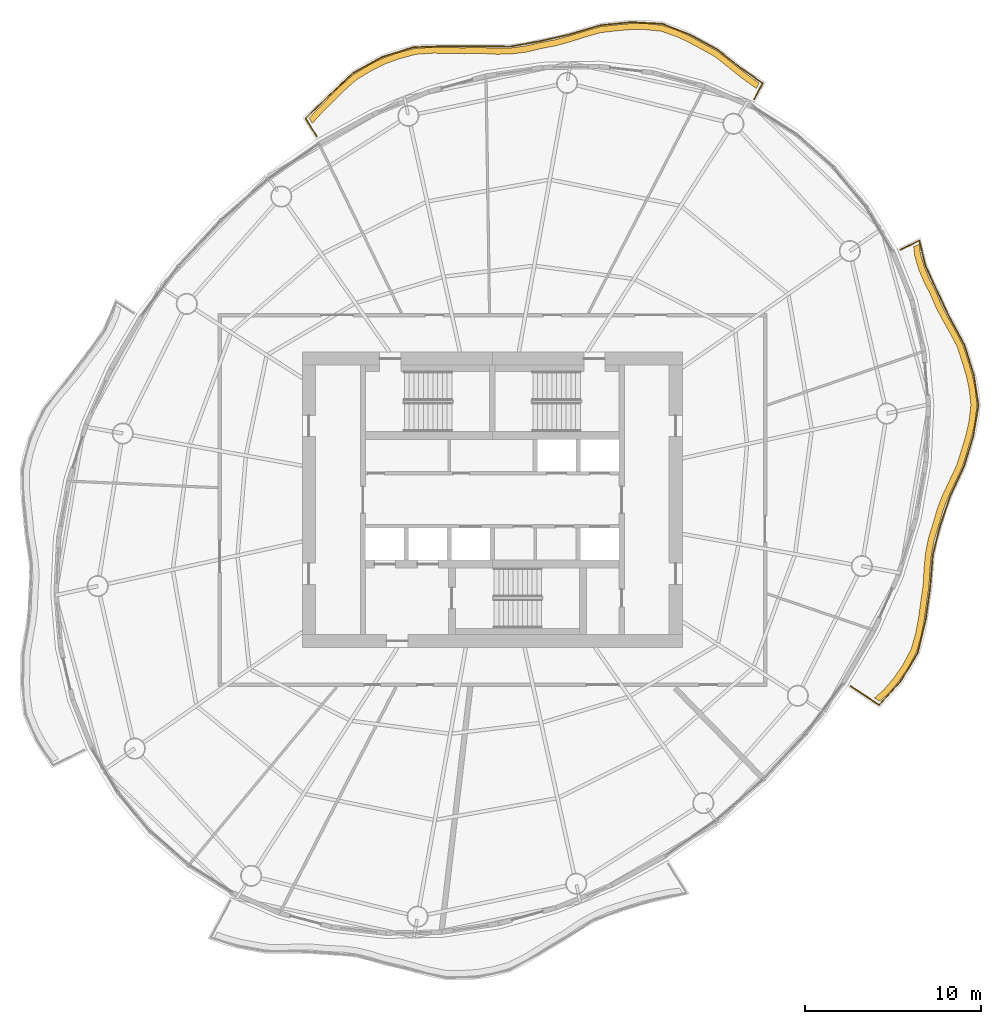
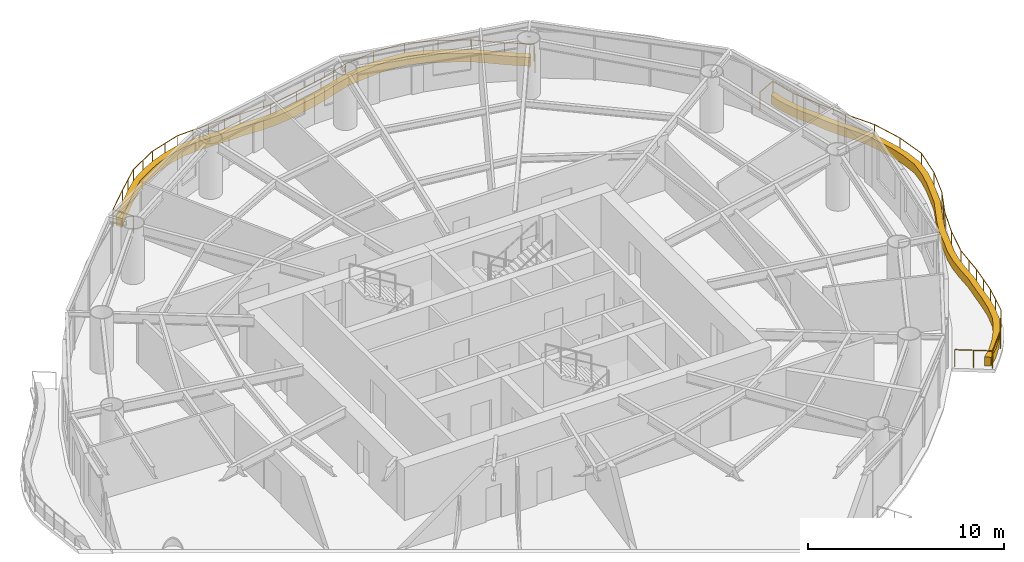
# One storey, part 14 of 14: 2 coverings, 2 railings.
"""IFC4 building model written with IfcOpenShell, lengths in metres."""

from ifc_helpers import new_model, si_unit, direction, frame, origin, origin_2d, place, context, subcontext, project, spatial, polyline, circle, outline, extrude, material, type_object, element, save


model = new_model("IFC4")

# Units and contexts
model_context = context("Model", 3, precision=1e-05, world=origin(), true_north=direction((0.0, 1.0)))
body_context = subcontext(model_context, "Body", "Model", "MODEL_VIEW")
ifc_project = project(units=[si_unit("LENGTHUNIT", "METRE"), si_unit("AREAUNIT", "SQUARE_METRE"), si_unit("VOLUMEUNIT", "CUBIC_METRE"), si_unit("PLANEANGLEUNIT", "RADIAN"), si_unit("MASSUNIT", "GRAM", prefix="KILO")], contexts=[model_context])

# Site, building, storey
site_placement = place(None, origin())
site = spatial("IfcSite", under=ifc_project, at=site_placement, CompositionType="ELEMENT")
building_placement = place(site_placement, origin())
building = spatial("IfcBuilding", under=site, at=building_placement, Name="Vermilion Reach Broadcast Tower", CompositionType="ELEMENT")
storey_placement = place(building_placement, frame((0.0, 0.0, 210.10009765625)))
storey = spatial("IfcBuildingStorey", under=building, at=storey_placement, Name="L51", CompositionType="ELEMENT", Elevation=210.10009765625)

# Coverings
ifc_material_1 = material(Name="Planting soil and greenery")
covering_type = type_object("IfcCoveringType", Name="Balcony PLANTER", PredefinedType="USERDEFINED", material=ifc_material_1)
placement = place(storey_placement, origin())
element("IfcCovering", 1, at=placement, inside=storey, type_object=covering_type, Name="PLANTER L51 group 1", ObjectType="PLANTER", PredefinedType="USERDEFINED", context=body_context, shape_type="SweptSolid", body=[
    extrude(outline(polyline([(9.163330078125, 23.681396484375), (8.71630859375, 24.001220703125), (8.094970703125, 24.459228515625), (7.489013671875, 24.9521484375), (6.763671875, 25.514404296875), (5.9462890625, 25.961669921875), (5.25244140625, 26.341796875), (4.54443359375, 26.66845703125), (3.650146484375, 26.972412109375), (2.693603515625, 27.069580078125), (1.901123046875, 27.06787109375), (1.1005859375, 26.998046875), (0.162353515625, 26.89453125), (-0.77392578125, 26.6328125), (-1.576904296875, 26.377685546875), (-2.380615234375, 26.155517578125), (-3.2578125, 25.99072265625), (-4.138671875, 25.7861328125), (-4.961181640625, 25.681640625), (-5.79638671875, 25.6640625), (-6.724853515625, 25.707763671875), (-7.685546875, 25.686767578125), (-8.572021484375, 25.708740234375), (-9.455078125, 25.717529296875), (-10.454833984375, 25.646240234375), (-11.42822265625, 25.384765625), (-12.2421875, 25.087158203125), (-13.018798828125, 24.698486328125), (-13.87841796875, 24.179931640625), (-14.652099609375, 23.498779296875), (-15.29833984375, 22.84619140625), (-15.94580078125, 22.19580078125), (-16.40966796875, 21.691650390625), (-16.2255859375, 21.39404296875), (-15.778076171875, 21.888427734375), (-15.130859375, 22.5390625), (-14.484375, 23.19140625), (-13.728271484375, 23.86376953125), (-12.886962890625, 24.374267578125), (-12.110107421875, 24.762939453125), (-11.29638671875, 25.060546875), (-10.342041015625, 25.314697265625), (-9.36181640625, 25.38037109375), (-8.478759765625, 25.371337890625), (-7.59228515625, 25.349365234375), (-6.65234375, 25.365234375), (-5.744873046875, 25.31787109375), (-4.90966796875, 25.33544921875), (-4.087158203125, 25.43994140625), (-3.228759765625, 25.641845703125), (-2.373779296875, 25.805419921875), (-1.570068359375, 26.027587890625), (-0.76708984375, 26.282958984375), (0.145263671875, 26.544921875), (1.06005859375, 26.650390625), (1.860595703125, 26.72021484375), (2.653076171875, 26.721923828125), (3.5849609375, 26.62841796875), (4.455078125, 26.330078125), (5.162841796875, 26.00341796875), (5.856689453125, 25.623291015625), (6.6494140625, 25.18359375), (7.350341796875, 24.630859375), (7.956298828125, 24.1376953125), (8.57763671875, 23.679931640625), (9.000244140625, 23.37158203125), (9.163330078125, 23.681396484375)])), origin(), (0.0, 0.0, 1.0), 0.5498046875),
])
element("IfcCovering", 2, at=placement, inside=storey, type_object=covering_type, Name="PLANTER L51 group 4", ObjectType="PLANTER", PredefinedType="USERDEFINED", context=body_context, shape_type="SweptSolid", body=[
    extrude(outline(polyline([(16.007080078125, -11.457275390625), (16.54931640625, -10.974853515625), (17.127197265625, -10.29345703125), (17.625, -9.565185546875), (18.103759765625, -8.668212890625), (18.386962890625, -7.697998046875), (18.547607421875, -6.822021484375), (18.666748046875, -5.927978515625), (18.814453125, -4.947021484375), (18.870849609375, -3.98095703125), (18.955810546875, -3.119140625), (19.1181640625, -2.28125), (19.38916015625, -1.40869140625), (19.63623046875, -0.544921875), (19.947998046875, 0.241455078125), (20.314208984375, 1.017822265625), (20.72705078125, 1.9033203125), (21.009521484375, 2.814208984375), (21.251708984375, 3.611083984375), (21.433837890625, 4.4111328125), (21.547119140625, 5.38037109375), (21.445556640625, 6.327880859375), (21.280029296875, 7.103515625), (21.047119140625, 7.873291015625), (20.754150390625, 8.77734375), (20.322021484375, 9.60791015625), (19.925537109375, 10.303955078125), (19.556884765625, 11.006591796875), (19.21923828125, 11.803955078125), (18.835205078125, 12.552490234375), (18.551513671875, 13.248779296875), (18.33642578125, 13.972412109375), (18.2587890625, 14.532470703125), (17.944580078125, 14.378662109375), (18.01123046875, 13.84326171875), (18.226318359375, 13.11962890625), (18.510009765625, 12.42333984375), (18.88525390625, 11.699462890625), (19.216064453125, 10.92724609375), (19.584716796875, 10.224609375), (19.981201171875, 9.528564453125), (20.408447265625, 8.722412109375), (20.6982421875, 7.843017578125), (20.931396484375, 7.0732421875), (21.096923828125, 6.297607421875), (21.197021484375, 5.37353515625), (21.084228515625, 4.427978515625), (20.902099609375, 3.628173828125), (20.659912109375, 2.8310546875), (20.37939453125, 1.94287109375), (19.9697265625, 1.07958984375), (19.603515625, 0.302978515625), (19.291748046875, -0.483154296875), (19.049072265625, -1.326171875), (18.78369140625, -2.177978515625), (18.621337890625, -3.01611328125), (18.536376953125, -3.8779296875), (18.486572265625, -4.824462890625), (18.3466796875, -5.78662109375), (18.227294921875, -6.6806640625), (18.06689453125, -7.556396484375), (17.7919921875, -8.509033203125), (17.32275390625, -9.388427734375), (16.824951171875, -10.11669921875), (16.247314453125, -10.79833984375), (15.71484375, -11.264404296875), (16.007080078125, -11.457275390625)])), origin(), (0.0, 0.0, 1.0), 0.5498046875),
])

# Railings
ifc_material_2 = material(Name="Stainless steel 316 balustrade", Category="steel")
railing_type = type_object("IfcRailingType", Name="Balcony guard 1100", PredefinedType="BALUSTRADE", material=ifc_material_2)
railing_1_placement = place(storey_placement, frame((8.884765625, 22.76708984375, 0.0)))
element("IfcRailing", 3, at=railing_1_placement, inside=storey, type_object=railing_type, Name="Balcony guard L51 group 1", PredefinedType="BALUSTRADE", context=body_context, shape_type="SweptSolid", body=[
    extrude(circle(Radius=0.02490234375, at=origin_2d()), frame((0.0, 0.0, 1.0751953125), z_axis=(0.465843890108, 0.884866922226, 0.0), x_axis=(-0.884866922226, 0.465843890108, 0.0)), (0.0, 0.0, 1.0), 1.032470703125),
    extrude(circle(Radius=0.02490234375, at=origin_2d()), frame((0.48095703125, 0.91357421875, 1.0751953125), z_axis=(-0.824046661865, 0.566521931675, 0.0), x_axis=(-0.566521931675, -0.824046661865, 0.0)), (0.0, 0.0, 1.0), 1.503662109375),
    extrude(circle(Radius=0.02490234375, at=origin_2d()), frame((-0.758056640625, 1.765380859375, 1.0751953125), z_axis=(-0.784266487847, 0.620424109816, 0.0), x_axis=(-0.620424109816, -0.784266487847, 0.0)), (0.0, 0.0, 1.0), 1.70458984375),
    extrude(circle(Radius=0.02490234375, at=origin_2d()), frame((-2.094970703125, 2.822998046875, 1.0751953125), z_axis=(-0.877566142522, 0.479455592833, 0.0), x_axis=(-0.479455592833, -0.877566142522, 0.0)), (0.0, 0.0, 1.0), 1.728759765625),
    extrude(circle(Radius=0.02490234375, at=origin_2d()), frame((-3.612060546875, 3.65185546875, 1.0751953125), z_axis=(-0.930653544621, 0.365901598637, 0.0), x_axis=(-0.365901598637, -0.930653544621, 0.0)), (0.0, 0.0, 1.0), 1.7275390625),
    extrude(circle(Radius=0.02490234375, at=origin_2d()), frame((-5.2197265625, 4.283935546875, 1.0751953125), z_axis=(-0.998500696364, 0.054739011321, 0.0), x_axis=(-0.054739011321, -0.998500696364, 0.0)), (0.0, 0.0, 1.0), 1.75732421875),
    extrude(circle(Radius=0.02490234375, at=origin_2d()), frame((-6.974365234375, 4.380126953125, 1.0751953125), z_axis=(-0.995126419518, -0.098607348498, 0.0), x_axis=(0.098607348498, -0.995126419518, 0.0)), (0.0, 0.0, 1.0), 1.7529296875),
    extrude(circle(Radius=0.02490234375, at=origin_2d()), frame((-8.71875, 4.207275390625, 1.0751953125), z_axis=(-0.95879946646, -0.284083760741, 0.0), x_axis=(0.284083760741, -0.95879946646, 0.0)), (0.0, 0.0, 1.0), 1.8193359375),
    extrude(circle(Radius=0.02490234375, at=origin_2d()), frame((-10.463134765625, 3.6904296875, 1.0751953125), z_axis=(-0.974635575318, -0.223797889453, 0.0), x_axis=(0.223797889453, -0.974635575318, 0.0)), (0.0, 0.0, 1.0), 1.730224609375),
    extrude(circle(Radius=0.02490234375, at=origin_2d()), frame((-12.1494140625, 3.30322265625, 1.0751953125), z_axis=(-0.983973247531, -0.178316146616, 0.0), x_axis=(0.178316146616, -0.983973247531, 0.0)), (0.0, 0.0, 1.0), 1.736083984375),
    extrude(circle(Radius=0.02490234375, at=origin_2d()), frame((-13.857666015625, 2.99365234375, 1.0751953125), z_axis=(-0.999896958382, 0.014355229662, 0.0), x_axis=(-0.014355229662, -0.999896958382, 0.0)), (0.0, 0.0, 1.0), 1.768798828125),
    extrude(circle(Radius=0.02490234375, at=origin_2d()), frame((-15.626220703125, 3.01904296875, 1.0751953125), z_axis=(-0.999999991312, -0.000131821776, 0.0), x_axis=(0.000131821776, -0.999999991312, 0.0)), (0.0, 0.0, 1.0), 1.85205078125),
    extrude(circle(Radius=0.02490234375, at=origin_2d()), frame((-17.478271484375, 3.018798828125, 1.0751953125), z_axis=(-0.999426095528, -0.033874467921, 0.0), x_axis=(0.033874467921, -0.999426095528, 0.0)), (0.0, 0.0, 1.0), 1.88818359375),
    extrude(circle(Radius=0.02490234375, at=origin_2d()), frame((-19.365478515625, 2.954833984375, 1.0751953125), z_axis=(-0.954373463202, -0.29861562708, 0.0), x_axis=(0.29861562708, -0.954373463202, 0.0)), (0.0, 0.0, 1.0), 1.877197265625),
    extrude(circle(Radius=0.02490234375, at=origin_2d()), frame((-21.156982421875, 2.394287109375, 1.0751953125), z_axis=(-0.87464192397, -0.484769537857, 0.0), x_axis=(0.484769537857, -0.87464192397, 0.0)), (0.0, 0.0, 1.0), 1.87548828125),
    extrude(circle(Radius=0.02490234375, at=origin_2d()), frame((-22.79736328125, 1.485107421875, 1.0751953125), z_axis=(-0.729377305618, -0.684111647357, 0.0), x_axis=(0.684111647357, -0.729377305618, 0.0)), (0.0, 0.0, 1.0), 1.952392578125),
    extrude(circle(Radius=0.02490234375, at=origin_2d()), frame((-24.221435546875, 0.1494140625, 1.0751953125), z_axis=(-0.715494191511, -0.698618681337, 0.0), x_axis=(0.698618681337, -0.715494191511, 0.0)), (0.0, 0.0, 1.0), 1.779541015625),
    extrude(circle(Radius=0.02490234375, at=origin_2d()), frame((-25.49462890625, -1.09375, 1.0751953125), z_axis=(0.526475203238, -0.850190484759, 0.0), x_axis=(0.850190484759, 0.526475203238, 0.0)), (0.0, 0.0, 1.0), 1.184814453125),
    extrude(circle(Radius=0.02490234375, at=origin_2d()), origin(), (0.0, 0.0, 1.0), 1.050048828125),
    extrude(circle(Radius=0.02490234375, at=origin_2d()), frame((0.48095703125, 0.91357421875, 0.0)), (0.0, 0.0, 1.0), 1.050048828125),
    extrude(circle(Radius=0.02490234375, at=origin_2d()), frame((-0.758056640625, 1.765380859375, 0.0)), (0.0, 0.0, 1.0), 1.050048828125),
    extrude(circle(Radius=0.02490234375, at=origin_2d()), frame((-2.094970703125, 2.822998046875, 0.0)), (0.0, 0.0, 1.0), 1.050048828125),
    extrude(circle(Radius=0.02490234375, at=origin_2d()), frame((-3.612060546875, 3.65185546875, 0.0)), (0.0, 0.0, 1.0), 1.050048828125),
    extrude(circle(Radius=0.02490234375, at=origin_2d()), frame((-5.2197265625, 4.283935546875, 0.0)), (0.0, 0.0, 1.0), 1.050048828125),
    extrude(circle(Radius=0.02490234375, at=origin_2d()), frame((-6.974365234375, 4.380126953125, 0.0)), (0.0, 0.0, 1.0), 1.050048828125),
    extrude(circle(Radius=0.02490234375, at=origin_2d()), frame((-8.71875, 4.207275390625, 0.0)), (0.0, 0.0, 1.0), 1.050048828125),
    extrude(circle(Radius=0.02490234375, at=origin_2d()), frame((-9.5908203125, 3.94873046875, 0.0)), (0.0, 0.0, 1.0), 1.050048828125),
    extrude(circle(Radius=0.02490234375, at=origin_2d()), frame((-10.463134765625, 3.6904296875, 0.0)), (0.0, 0.0, 1.0), 1.050048828125),
    extrude(circle(Radius=0.02490234375, at=origin_2d()), frame((-12.1494140625, 3.30322265625, 0.0)), (0.0, 0.0, 1.0), 1.050048828125),
    extrude(circle(Radius=0.02490234375, at=origin_2d()), frame((-13.857666015625, 2.99365234375, 0.0)), (0.0, 0.0, 1.0), 1.050048828125),
    extrude(circle(Radius=0.02490234375, at=origin_2d()), frame((-15.626220703125, 3.01904296875, 0.0)), (0.0, 0.0, 1.0), 1.050048828125),
    extrude(circle(Radius=0.02490234375, at=origin_2d()), frame((-16.55224609375, 3.01904296875, 0.0)), (0.0, 0.0, 1.0), 1.050048828125),
    extrude(circle(Radius=0.02490234375, at=origin_2d()), frame((-17.478271484375, 3.018798828125, 0.0)), (0.0, 0.0, 1.0), 1.050048828125),
    extrude(circle(Radius=0.02490234375, at=origin_2d()), frame((-18.421875, 2.98681640625, 0.0)), (0.0, 0.0, 1.0), 1.050048828125),
    extrude(circle(Radius=0.02490234375, at=origin_2d()), frame((-19.365478515625, 2.954833984375, 0.0)), (0.0, 0.0, 1.0), 1.050048828125),
    extrude(circle(Radius=0.02490234375, at=origin_2d()), frame((-20.26123046875, 2.674560546875, 0.0)), (0.0, 0.0, 1.0), 1.050048828125),
    extrude(circle(Radius=0.02490234375, at=origin_2d()), frame((-21.156982421875, 2.394287109375, 0.0)), (0.0, 0.0, 1.0), 1.050048828125),
    extrude(circle(Radius=0.02490234375, at=origin_2d()), frame((-21.97705078125, 1.939697265625, 0.0)), (0.0, 0.0, 1.0), 1.050048828125),
    extrude(circle(Radius=0.02490234375, at=origin_2d()), frame((-22.79736328125, 1.485107421875, 0.0)), (0.0, 0.0, 1.0), 1.050048828125),
    extrude(circle(Radius=0.02490234375, at=origin_2d()), frame((-23.50927734375, 0.8173828125, 0.0)), (0.0, 0.0, 1.0), 1.050048828125),
    extrude(circle(Radius=0.02490234375, at=origin_2d()), frame((-24.221435546875, 0.1494140625, 0.0)), (0.0, 0.0, 1.0), 1.050048828125),
    extrude(circle(Radius=0.02490234375, at=origin_2d()), frame((-25.49462890625, -1.09375, 0.0)), (0.0, 0.0, 1.0), 1.050048828125),
    extrude(circle(Radius=0.02490234375, at=origin_2d()), frame((-24.870849609375, -2.10107421875, 0.0)), (0.0, 0.0, 1.0), 1.050048828125),
])
railing_2_placement = place(storey_placement, frame((14.3642578125, -10.587890625, 0.0)))
element("IfcRailing", 4, at=railing_2_placement, inside=storey, type_object=railing_type, Name="Balcony guard L51 group 4", PredefinedType="BALUSTRADE", context=body_context, shape_type="SweptSolid", body=[
    extrude(circle(Radius=0.02490234375, at=origin_2d()), frame((0.0, 0.0, 1.0751953125), z_axis=(0.834482081855, -0.551035076073, 0.0), x_axis=(0.551035076073, 0.834482081855, 0.0)), (0.0, 0.0, 1.0), 1.939697265625),
    extrude(circle(Radius=0.02490234375, at=origin_2d()), frame((1.61865234375, -1.06884765625, 1.0751953125), z_axis=(0.675915517797, 0.736979112866, 0.0), x_axis=(-0.736979112866, 0.675915517797, 0.0)), (0.0, 0.0, 1.0), 1.795166015625),
    extrude(circle(Radius=0.02490234375, at=origin_2d()), frame((2.83203125, 0.254150390625, 1.0751953125), z_axis=(0.51498683274, 0.85719808802, 0.0), x_axis=(-0.85719808802, 0.51498683274, 0.0)), (0.0, 0.0, 1.0), 1.900634765625),
    extrude(circle(Radius=0.02490234375, at=origin_2d()), frame((3.810791015625, 1.88330078125, 1.0751953125), z_axis=(0.234134681054, 0.972204171523, 0.0), x_axis=(-0.972204171523, 0.234134681054, 0.0)), (0.0, 0.0, 1.0), 1.903076171875),
    extrude(circle(Radius=0.02490234375, at=origin_2d()), frame((4.25634765625, 3.7333984375, 1.0751953125), z_axis=(0.141457363473, 0.989944349102, 0.0), x_axis=(-0.989944349102, 0.141457363473, 0.0)), (0.0, 0.0, 1.0), 1.8984375),
    extrude(circle(Radius=0.02490234375, at=origin_2d()), frame((4.52490234375, 5.61279296875, 1.0751953125), z_axis=(0.077844343464, 0.996965525076, 0.0), x_axis=(-0.996965525076, 0.077844343464, 0.0)), (0.0, 0.0, 1.0), 1.837890625),
    extrude(circle(Radius=0.02490234375, at=origin_2d()), frame((4.66796875, 7.445068359375, 1.0751953125), z_axis=(0.245715631156, 0.969341956487, 0.0), x_axis=(-0.969341956487, 0.245715631156, 0.0)), (0.0, 0.0, 1.0), 1.76953125),
    extrude(circle(Radius=0.02490234375, at=origin_2d()), frame((5.102783203125, 9.160400390625, 1.0751953125), z_axis=(0.3204592053, 0.94726231728, 0.0), x_axis=(-0.94726231728, 0.3204592053, 0.0)), (0.0, 0.0, 1.0), 1.746826171875),
    extrude(circle(Radius=0.02490234375, at=origin_2d()), frame((5.66259765625, 10.815185546875, 1.0751953125), z_axis=(0.423662289045, 0.905820216622, 0.0), x_axis=(-0.905820216622, 0.423662289045, 0.0)), (0.0, 0.0, 1.0), 1.840576171875),
    extrude(circle(Radius=0.02490234375, at=origin_2d()), frame((6.4423828125, 12.482421875, 1.0751953125), z_axis=(0.293032154205, 0.956102586861, 0.0), x_axis=(-0.956102586861, 0.293032154205, 0.0)), (0.0, 0.0, 1.0), 1.791259765625),
    extrude(circle(Radius=0.02490234375, at=origin_2d()), frame((6.96728515625, 14.195068359375, 1.0751953125), z_axis=(0.164200930602, 0.986426912847, 0.0), x_axis=(-0.986426912847, 0.164200930602, 0.0)), (0.0, 0.0, 1.0), 1.799072265625),
    extrude(circle(Radius=0.02490234375, at=origin_2d()), frame((7.2626953125, 15.9697265625, 1.0751953125), z_axis=(-0.152707478545, 0.988271433361, 0.0), x_axis=(-0.988271433361, -0.152707478545, 0.0)), (0.0, 0.0, 1.0), 1.7490234375),
    extrude(circle(Radius=0.02490234375, at=origin_2d()), frame((6.99560546875, 17.6982421875, 1.0751953125), z_axis=(-0.299285609112, 0.954163573072, 0.0), x_axis=(-0.954163573072, -0.299285609112, 0.0)), (0.0, 0.0, 1.0), 1.760498046875),
    extrude(circle(Radius=0.02490234375, at=origin_2d()), frame((6.46875, 19.3779296875, 1.0751953125), z_axis=(-0.476120641253, 0.879379971897, 0.0), x_axis=(-0.879379971897, -0.476120641253, 0.0)), (0.0, 0.0, 1.0), 1.742431640625),
    extrude(circle(Radius=0.02490234375, at=origin_2d()), frame((5.63916015625, 20.91015625, 1.0751953125), z_axis=(-0.425422439099, 0.904994888555, 0.0), x_axis=(-0.904994888555, -0.425422439099, 0.0)), (0.0, 0.0, 1.0), 1.66357421875),
    extrude(circle(Radius=0.02490234375, at=origin_2d()), frame((4.931396484375, 22.415771484375, 1.0751953125), z_axis=(-0.419184156413, 0.907901229767, 0.0), x_axis=(-0.907901229767, -0.419184156413, 0.0)), (0.0, 0.0, 1.0), 1.59765625),
    extrude(circle(Radius=0.02490234375, at=origin_2d()), frame((4.26171875, 23.8662109375, 1.0751953125), z_axis=(-0.240889606931, 0.970552521646, 0.0), x_axis=(-0.970552521646, -0.240889606931, 0.0)), (0.0, 0.0, 1.0), 1.5009765625),
    extrude(circle(Radius=0.02490234375, at=origin_2d()), frame((3.900146484375, 25.322998046875, 1.0751953125), z_axis=(-0.898123793631, -0.439742710359, 0.0), x_axis=(0.439742710359, -0.898123793631, 0.0)), (0.0, 0.0, 1.0), 1.19189453125),
    extrude(circle(Radius=0.02490234375, at=origin_2d()), origin(), (0.0, 0.0, 1.0), 1.050048828125),
    extrude(circle(Radius=0.02490234375, at=origin_2d()), frame((0.809326171875, -0.534423828125, 0.0)), (0.0, 0.0, 1.0), 1.050048828125),
    extrude(circle(Radius=0.02490234375, at=origin_2d()), frame((1.61865234375, -1.06884765625, 0.0)), (0.0, 0.0, 1.0), 1.050048828125),
    extrude(circle(Radius=0.02490234375, at=origin_2d()), frame((2.83203125, 0.254150390625, 0.0)), (0.0, 0.0, 1.0), 1.050048828125),
    extrude(circle(Radius=0.02490234375, at=origin_2d()), frame((3.3212890625, 1.06884765625, 0.0)), (0.0, 0.0, 1.0), 1.050048828125),
    extrude(circle(Radius=0.02490234375, at=origin_2d()), frame((3.810791015625, 1.88330078125, 0.0)), (0.0, 0.0, 1.0), 1.050048828125),
    extrude(circle(Radius=0.02490234375, at=origin_2d()), frame((4.03369140625, 2.808349609375, 0.0)), (0.0, 0.0, 1.0), 1.050048828125),
    extrude(circle(Radius=0.02490234375, at=origin_2d()), frame((4.25634765625, 3.7333984375, 0.0)), (0.0, 0.0, 1.0), 1.050048828125),
    extrude(circle(Radius=0.02490234375, at=origin_2d()), frame((4.390625, 4.673095703125, 0.0)), (0.0, 0.0, 1.0), 1.050048828125),
    extrude(circle(Radius=0.02490234375, at=origin_2d()), frame((4.52490234375, 5.61279296875, 0.0)), (0.0, 0.0, 1.0), 1.050048828125),
    extrude(circle(Radius=0.02490234375, at=origin_2d()), frame((4.596435546875, 6.52880859375, 0.0)), (0.0, 0.0, 1.0), 1.050048828125),
    extrude(circle(Radius=0.02490234375, at=origin_2d()), frame((4.66796875, 7.445068359375, 0.0)), (0.0, 0.0, 1.0), 1.050048828125),
    extrude(circle(Radius=0.02490234375, at=origin_2d()), frame((5.102783203125, 9.160400390625, 0.0)), (0.0, 0.0, 1.0), 1.050048828125),
    extrude(circle(Radius=0.02490234375, at=origin_2d()), frame((5.66259765625, 10.815185546875, 0.0)), (0.0, 0.0, 1.0), 1.050048828125),
    extrude(circle(Radius=0.02490234375, at=origin_2d()), frame((6.052490234375, 11.64892578125, 0.0)), (0.0, 0.0, 1.0), 1.050048828125),
    extrude(circle(Radius=0.02490234375, at=origin_2d()), frame((6.4423828125, 12.482421875, 0.0)), (0.0, 0.0, 1.0), 1.050048828125),
    extrude(circle(Radius=0.02490234375, at=origin_2d()), frame((6.96728515625, 14.195068359375, 0.0)), (0.0, 0.0, 1.0), 1.050048828125),
    extrude(circle(Radius=0.02490234375, at=origin_2d()), frame((7.2626953125, 15.9697265625, 0.0)), (0.0, 0.0, 1.0), 1.050048828125),
    extrude(circle(Radius=0.02490234375, at=origin_2d()), frame((6.99560546875, 17.6982421875, 0.0)), (0.0, 0.0, 1.0), 1.050048828125),
    extrude(circle(Radius=0.02490234375, at=origin_2d()), frame((6.46875, 19.3779296875, 0.0)), (0.0, 0.0, 1.0), 1.050048828125),
    extrude(circle(Radius=0.02490234375, at=origin_2d()), frame((5.63916015625, 20.91015625, 0.0)), (0.0, 0.0, 1.0), 1.050048828125),
    extrude(circle(Radius=0.02490234375, at=origin_2d()), frame((4.931396484375, 22.415771484375, 0.0)), (0.0, 0.0, 1.0), 1.050048828125),
    extrude(circle(Radius=0.02490234375, at=origin_2d()), frame((4.26171875, 23.8662109375, 0.0)), (0.0, 0.0, 1.0), 1.050048828125),
    extrude(circle(Radius=0.02490234375, at=origin_2d()), frame((3.900146484375, 25.322998046875, 0.0)), (0.0, 0.0, 1.0), 1.050048828125),
    extrude(circle(Radius=0.02490234375, at=origin_2d()), frame((2.82958984375, 24.798828125, 0.0)), (0.0, 0.0, 1.0), 1.050048828125),
])

save(model, "model.ifc")
